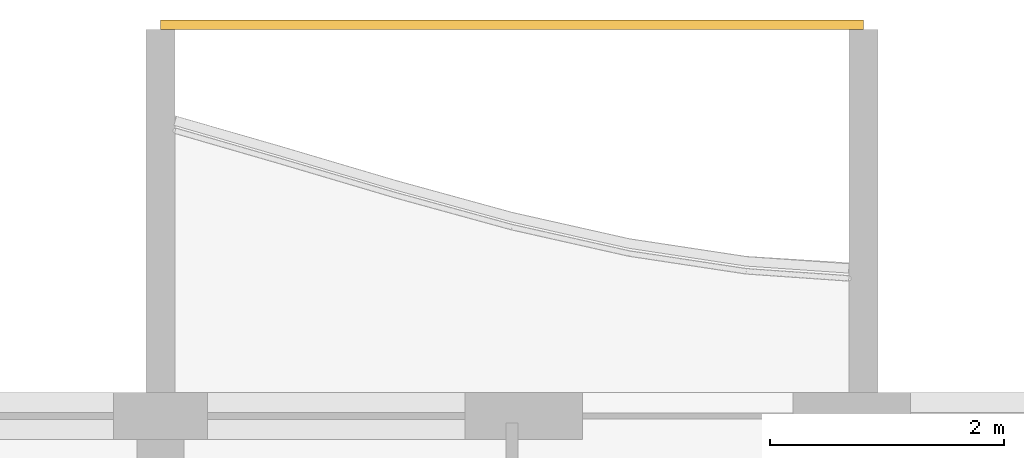
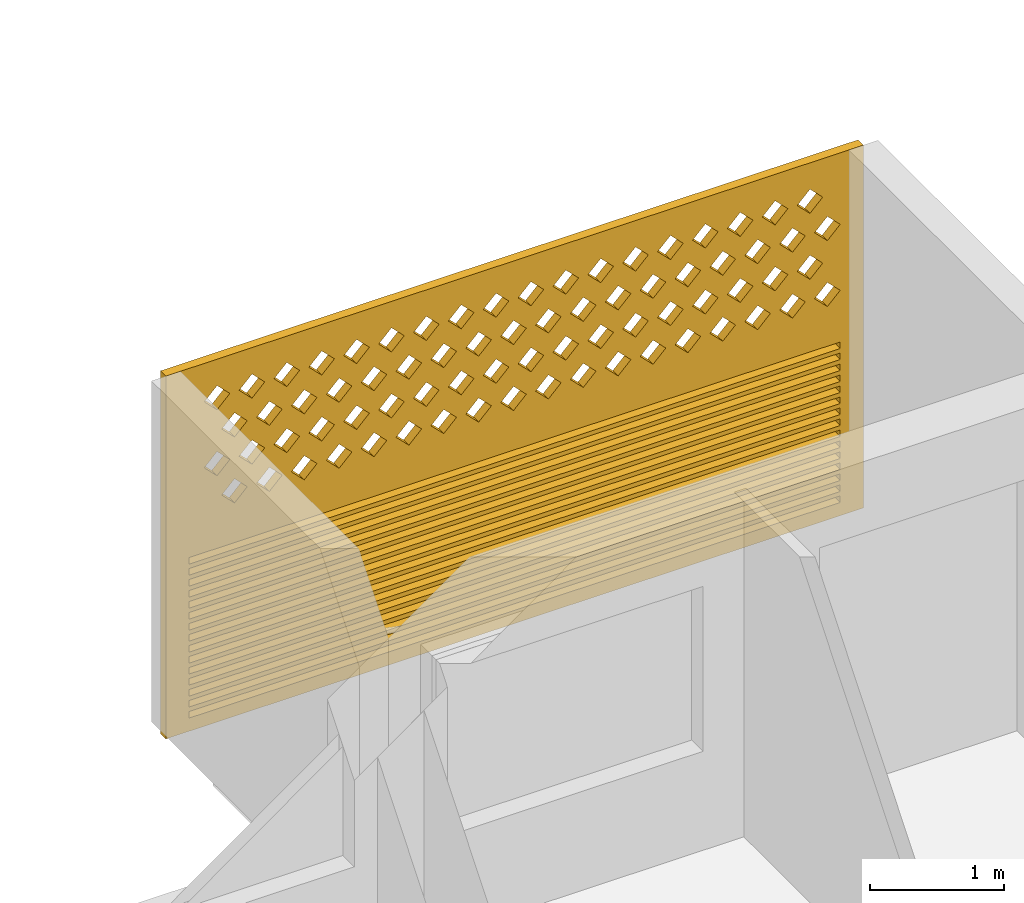
# One storey, part 29 of 40: 1 covering.
"""IFC4 building model written with IfcOpenShell, lengths in metres."""

import ifcopenshell
import ifcopenshell.guid

model = None  # the IFC model being written
_history = None  # IfcOwnerHistory: only IFC2X3 demands one
_inside = {}  # id of a spatial element -> (the spatial element, [elements in it])
_under = {}  # id of a project, library or spatial element -> (it, [spatial elements below it])
_declared = {}  # id of a project -> (the project, [libraries it declares])
_typed = {}  # id of a type object -> (the type object, [elements of that type])
_made_of = {}  # id of a material, layer set ... -> (it, [elements and type objects made of it])


def new_model(schema):
    """Start an empty IFC model of exactly this schema.

    Asked for "IFC4X3", IfcOpenShell would pick the latest addendum, in which some entities
    have other attributes; the version numbers below select the first issue.
    IFC2X3 requires an IfcOwnerHistory on every rooted entity: one is made here for all.
    """
    global model, _history
    if schema == "IFC4X3":
        model = ifcopenshell.file(schema_version=(4, 3, 0, 0))
    else:
        model = ifcopenshell.file(schema=schema)
    _inside.clear()
    _under.clear()
    _declared.clear()
    _typed.clear()
    _made_of.clear()
    _history = None
    if model.schema == "IFC2X3":
        org = make("IfcOrganization", Name="unknown")
        user = make(
            "IfcPersonAndOrganization",
            ThePerson=make("IfcPerson", FamilyName="unknown"),
            TheOrganization=org,
        )
        app = make(
            "IfcApplication",
            ApplicationDeveloper=org,
            Version="unknown",
            ApplicationFullName="unknown",
            ApplicationIdentifier="unknown",
        )
        _history = make(
            "IfcOwnerHistory",
            OwningUser=user,
            OwningApplication=app,
            ChangeAction="ADDED",
            CreationDate=0,
        )
    return model


def make(cls, **values):
    """One entity of the class cls with the attributes given. An attribute that is None is left unset."""
    return model.create_entity(
        cls, **{name: value for name, value in values.items() if value is not None}
    )


def rooted(cls, **values):
    """An entity with a GlobalId (a new one), such as an element, a storey or a relation."""
    return make(cls, GlobalId=ifcopenshell.guid.new(), OwnerHistory=_history, **values)


def si_unit(unit_type, name, prefix=None):
    """IfcSIUnit, for example si_unit("LENGTHUNIT", "METRE", prefix="MILLI")."""
    return make("IfcSIUnit", UnitType=unit_type, Prefix=prefix, Name=name)


def assignment(units):
    """IfcUnitAssignment: the units of a project."""
    return None if units is None else make("IfcUnitAssignment", Units=units)


def point(xyz):
    """IfcCartesianPoint."""
    return None if xyz is None else make("IfcCartesianPoint", Coordinates=xyz)


def direction(xyz):
    """IfcDirection."""
    return None if xyz is None else make("IfcDirection", DirectionRatios=xyz)


def frame(location, z_axis=None, x_axis=None):
    """IfcAxis2Placement3D, a coordinate frame: its origin and axes. An axis left out is left unset."""
    return make(
        "IfcAxis2Placement3D",
        Location=point(location),
        Axis=direction(z_axis),
        RefDirection=direction(x_axis),
    )


def origin():
    """The frame at (0, 0, 0) with its axes left unset."""
    return frame((0.0, 0.0, 0.0))


def place(relative_to, where):
    """IfcLocalPlacement: puts the frame where relative to a parent placement (None: the world)."""
    return make(
        "IfcLocalPlacement", PlacementRelTo=relative_to, RelativePlacement=where
    )


def context(
    kind, dimensions, precision=None, world=None, true_north=None, identifier=None
):
    """IfcGeometricRepresentationContext, for example the 3D "Model" context."""
    return make(
        "IfcGeometricRepresentationContext",
        ContextIdentifier=identifier,
        ContextType=kind,
        CoordinateSpaceDimension=dimensions,
        Precision=precision,
        WorldCoordinateSystem=world,
        TrueNorth=true_north,
    )


def subcontext(parent, identifier, kind, view, scale=None):
    """IfcGeometricRepresentationSubContext, for example "Body" below "Model"."""
    return make(
        "IfcGeometricRepresentationSubContext",
        ContextIdentifier=identifier,
        ContextType=kind,
        ParentContext=parent,
        TargetScale=scale,
        TargetView=view,
    )


def project(units=None, contexts=None):
    """IfcProject with its units and contexts."""
    return rooted(
        "IfcProject",
        Name="project",
        RepresentationContexts=contexts,
        UnitsInContext=assignment(units),
    )


def spatial(cls, under=None, at=None, **own):
    """A site, building, storey or space (cls), placed at a placement, below another one or the project."""
    s = rooted(cls, ObjectPlacement=at, **own)
    if under is not None:
        _under.setdefault(under.id(), (under, []))[1].append(s)
    return s


def polyline(points):
    """IfcPolyline through the points."""
    return make("IfcPolyline", Points=[point(p) for p in points])


def outline(outer, holes=None, kind="AREA"):
    """IfcArbitraryClosedProfileDef: a profile drawn as a closed curve; with holes, ...WithVoids."""
    if holes is None:
        return make("IfcArbitraryClosedProfileDef", ProfileType=kind, OuterCurve=outer)
    return make(
        "IfcArbitraryProfileDefWithVoids",
        ProfileType=kind,
        OuterCurve=outer,
        InnerCurves=holes,
    )


def extrude(swept, where, along, depth):
    """IfcExtrudedAreaSolid: the profile swept, set in the frame where, extruded along a direction by depth."""
    return make(
        "IfcExtrudedAreaSolid",
        SweptArea=swept,
        Position=where,
        ExtrudedDirection=direction(along),
        Depth=depth,
    )


def shape(context_of_items, identifier, shape_type, items):
    """IfcShapeRepresentation: the items that make up one representation, for example the "Body"."""
    return make(
        "IfcShapeRepresentation",
        ContextOfItems=context_of_items,
        RepresentationIdentifier=identifier,
        RepresentationType=shape_type,
        Items=items,
    )


def source(mapping_origin, context_of_items, identifier, shape_type, items):
    """IfcRepresentationMap: a shape defined once, which mapped items show again and again."""
    return make(
        "IfcRepresentationMap",
        MappingOrigin=mapping_origin,
        MappedRepresentation=shape(context_of_items, identifier, shape_type, items),
    )


def transform(
    local_origin,
    x_axis=None,
    y_axis=None,
    z_axis=None,
    scale=None,
    scale2=None,
    scale3=None,
    uniform=True,
):
    """IfcCartesianTransformationOperator3D, or its non-uniform kind. x_axis, y_axis, z_axis: its Axis1, 2, 3."""
    if uniform:
        return make(
            "IfcCartesianTransformationOperator3D",
            Axis1=direction(x_axis),
            Axis2=direction(y_axis),
            LocalOrigin=point(local_origin),
            Scale=scale,
            Axis3=direction(z_axis),
        )
    return make(
        "IfcCartesianTransformationOperator3DnonUniform",
        Axis1=direction(x_axis),
        Axis2=direction(y_axis),
        LocalOrigin=point(local_origin),
        Scale=scale,
        Axis3=direction(z_axis),
        Scale2=scale2,
        Scale3=scale3,
    )


def mapped(mapping_source, mapping_target):
    """IfcMappedItem: shows the shape of a source again, moved by a transform."""
    return make(
        "IfcMappedItem", MappingSource=mapping_source, MappingTarget=mapping_target
    )


def material(Name=None, Category=None):
    """IfcMaterial."""
    return make("IfcMaterial", Name=Name, Category=Category)


def material_profile(
    of_material, cross_section, Name=None, Category=None, Priority=None
):
    """IfcMaterialProfile: a cross section and its material."""
    return make(
        "IfcMaterialProfile",
        Name=Name,
        Material=of_material,
        Profile=cross_section,
        Priority=Priority,
        Category=Category,
    )


def profile_set(profiles, Name=None, composite=None):
    """IfcMaterialProfileSet."""
    return make(
        "IfcMaterialProfileSet",
        Name=Name,
        MaterialProfiles=profiles,
        CompositeProfile=composite,
    )


def made_of(thing, what):
    """Note that an element or type object is made of a material, layer set ...; save() writes the relation."""
    if what is not None:
        _made_of.setdefault(what.id(), (what, []))[1].append(thing)
    return thing


def type_object(cls, material=None, **own):
    """A type object (cls), such as IfcWallType, which elements share."""
    return made_of(rooted(cls, **own), material)


def element(
    cls,
    number,
    at=None,
    inside=None,
    cuts=None,
    type_object=None,
    material=None,
    context=None,
    identifier="Body",
    shape_type=None,
    held_by="IfcProductDefinitionShape",
    body=None,
    shapes=None,
    **own,
):
    """One element of the class cls, such as IfcWall. Its Tag is "e" and its number.

    at: its placement. inside: the storey or other place that contains it. cuts: it is an
    opening in that element (IfcRelVoidsElement). A single representation is given by context,
    identifier, shape_type and body (its items); several are given by shapes. held_by: the class
    of the entity that holds the representations. save() writes the other relations.
    """
    e = rooted(cls, Tag="e%d" % number, ObjectPlacement=at, **own)
    if body is not None:
        shapes = [shape(context, identifier, shape_type, body)]
    if shapes is not None:
        e.Representation = make(held_by, Representations=shapes)
    if inside is not None:
        _inside.setdefault(inside.id(), (inside, []))[1].append(e)
    if cuts is not None:
        rooted(
            "IfcRelVoidsElement", RelatingBuildingElement=cuts, RelatedOpeningElement=e
        )
    if type_object is not None:
        _typed.setdefault(type_object.id(), (type_object, []))[1].append(e)
    return made_of(e, material)


def aggregate(whole, parts):
    """IfcRelAggregates: a whole, such as a stair, and the parts it consists of."""
    return rooted("IfcRelAggregates", RelatingObject=whole, RelatedObjects=parts)


def save(model, path):
    """Write the relations noted so far, then the file.

    IfcRelAggregates (storeys below a building ...), IfcRelContainedInSpatialStructure (elements
    in a storey), IfcRelDefinesByType, IfcRelAssociatesMaterial and IfcRelDeclares: one each for
    every whole, place, type object, material and project.
    """
    for whole, parts in _under.values():
        aggregate(whole, parts)
    for where, things in _inside.values():
        rooted(
            "IfcRelContainedInSpatialStructure",
            RelatedElements=things,
            RelatingStructure=where,
        )
    for kind, things in _typed.values():
        rooted("IfcRelDefinesByType", RelatedObjects=things, RelatingType=kind)
    for what, things in _made_of.values():
        rooted("IfcRelAssociatesMaterial", RelatedObjects=things, RelatingMaterial=what)
    for by, libraries in _declared.values():
        rooted("IfcRelDeclares", RelatingContext=by, RelatedDefinitions=libraries)
    model.write(path)


model = new_model("IFC4")

# Units and contexts
model_context = context("Model", 3, precision=1e-05, world=origin(), true_north=direction((0.0, 1.0)))
body_context = subcontext(model_context, "Body", "Model", "MODEL_VIEW")
ifc_project = project(units=[si_unit("LENGTHUNIT", "METRE"), si_unit("AREAUNIT", "SQUARE_METRE"), si_unit("VOLUMEUNIT", "CUBIC_METRE"), si_unit("PLANEANGLEUNIT", "RADIAN"), si_unit("MASSUNIT", "GRAM", prefix="KILO")], contexts=[model_context])

# Site, building, storey
site_placement = place(None, origin())
site = spatial("IfcSite", under=ifc_project, at=site_placement, CompositionType="ELEMENT")
building_placement = place(site_placement, origin())
building = spatial("IfcBuilding", under=site, at=building_placement, Name="Poui Terraces", CompositionType="ELEMENT")
storey_placement = place(building_placement, frame((0.0, 0.0, 39.89990234375)))
storey = spatial("IfcBuildingStorey", under=building, at=storey_placement, Name="L10", CompositionType="ELEMENT", Elevation=39.89990234375)

# Covering
ifc_material = material(Name="Terracotta screen", Category="masonry")
ifc_material_profile = material_profile(ifc_material, outline(polyline([(-3.0, -1.64990234375), (3.0, -1.64990234375), (3.0, 1.64990234375), (-3.0, 1.64990234375), (-3.0, -1.64990234375)]), holes=[polyline([(-2.800048828125, 0.39990234375), (-2.68994140625, 0.2900390625), (-2.580078125, 0.39990234375), (-2.68994140625, 0.510009765625), (-2.800048828125, 0.39990234375)]), polyline([(-2.5, 0.39990234375), (-2.389892578125, 0.2900390625), (-2.280029296875, 0.39990234375), (-2.389892578125, 0.510009765625), (-2.5, 0.39990234375)]), polyline([(-2.199951171875, 0.39990234375), (-2.090087890625, 0.2900390625), (-1.97998046875, 0.39990234375), (-2.090087890625, 0.510009765625), (-2.199951171875, 0.39990234375)]), polyline([(-1.89990234375, 0.39990234375), (-1.7900390625, 0.2900390625), (-1.679931640625, 0.39990234375), (-1.7900390625, 0.510009765625), (-1.89990234375, 0.39990234375)]), polyline([(-1.60009765625, 0.39990234375), (-1.489990234375, 0.2900390625), (-1.3798828125, 0.39990234375), (-1.489990234375, 0.510009765625), (-1.60009765625, 0.39990234375)]), polyline([(-1.300048828125, 0.39990234375), (-1.18994140625, 0.2900390625), (-1.080078125, 0.39990234375), (-1.18994140625, 0.510009765625), (-1.300048828125, 0.39990234375)]), polyline([(-1.0, 0.39990234375), (-0.889892578125, 0.2900390625), (-0.780029296875, 0.39990234375), (-0.889892578125, 0.510009765625), (-1.0, 0.39990234375)]), polyline([(-0.699951171875, 0.39990234375), (-0.590087890625, 0.2900390625), (-0.47998046875, 0.39990234375), (-0.590087890625, 0.510009765625), (-0.699951171875, 0.39990234375)]), polyline([(-0.39990234375, 0.39990234375), (-0.2900390625, 0.2900390625), (-0.179931640625, 0.39990234375), (-0.2900390625, 0.510009765625), (-0.39990234375, 0.39990234375)]), polyline([(-0.10009765625, 0.39990234375), (0.010009765625, 0.2900390625), (0.1201171875, 0.39990234375), (0.010009765625, 0.510009765625), (-0.10009765625, 0.39990234375)]), polyline([(0.199951171875, 0.39990234375), (0.31005859375, 0.2900390625), (0.419921875, 0.39990234375), (0.31005859375, 0.510009765625), (0.199951171875, 0.39990234375)]), polyline([(0.5, 0.39990234375), (0.610107421875, 0.2900390625), (0.719970703125, 0.39990234375), (0.610107421875, 0.510009765625), (0.5, 0.39990234375)]), polyline([(0.800048828125, 0.39990234375), (0.909912109375, 0.2900390625), (1.02001953125, 0.39990234375), (0.909912109375, 0.510009765625), (0.800048828125, 0.39990234375)]), polyline([(1.10009765625, 0.39990234375), (1.2099609375, 0.2900390625), (1.320068359375, 0.39990234375), (1.2099609375, 0.510009765625), (1.10009765625, 0.39990234375)]), polyline([(1.39990234375, 0.39990234375), (1.510009765625, 0.2900390625), (1.6201171875, 0.39990234375), (1.510009765625, 0.510009765625), (1.39990234375, 0.39990234375)]), polyline([(1.699951171875, 0.39990234375), (1.81005859375, 0.2900390625), (1.919921875, 0.39990234375), (1.81005859375, 0.510009765625), (1.699951171875, 0.39990234375)]), polyline([(2.0, 0.39990234375), (2.110107421875, 0.2900390625), (2.219970703125, 0.39990234375), (2.110107421875, 0.510009765625), (2.0, 0.39990234375)]), polyline([(2.300048828125, 0.39990234375), (2.409912109375, 0.2900390625), (2.52001953125, 0.39990234375), (2.409912109375, 0.510009765625), (2.300048828125, 0.39990234375)]), polyline([(-2.64990234375, 0.699951171875), (-2.5400390625, 0.590087890625), (-2.429931640625, 0.699951171875), (-2.5400390625, 0.81005859375), (-2.64990234375, 0.699951171875)]), polyline([(-2.35009765625, 0.699951171875), (-2.239990234375, 0.590087890625), (-2.1298828125, 0.699951171875), (-2.239990234375, 0.81005859375), (-2.35009765625, 0.699951171875)]), polyline([(-2.050048828125, 0.699951171875), (-1.93994140625, 0.590087890625), (-1.830078125, 0.699951171875), (-1.93994140625, 0.81005859375), (-2.050048828125, 0.699951171875)]), polyline([(-1.75, 0.699951171875), (-1.639892578125, 0.590087890625), (-1.530029296875, 0.699951171875), (-1.639892578125, 0.81005859375), (-1.75, 0.699951171875)]), polyline([(-1.449951171875, 0.699951171875), (-1.340087890625, 0.590087890625), (-1.22998046875, 0.699951171875), (-1.340087890625, 0.81005859375), (-1.449951171875, 0.699951171875)]), polyline([(-1.14990234375, 0.699951171875), (-1.0400390625, 0.590087890625), (-0.929931640625, 0.699951171875), (-1.0400390625, 0.81005859375), (-1.14990234375, 0.699951171875)]), polyline([(-0.85009765625, 0.699951171875), (-0.739990234375, 0.590087890625), (-0.6298828125, 0.699951171875), (-0.739990234375, 0.81005859375), (-0.85009765625, 0.699951171875)]), polyline([(-0.550048828125, 0.699951171875), (-0.43994140625, 0.590087890625), (-0.330078125, 0.699951171875), (-0.43994140625, 0.81005859375), (-0.550048828125, 0.699951171875)]), polyline([(-0.25, 0.699951171875), (-0.139892578125, 0.590087890625), (-0.030029296875, 0.699951171875), (-0.139892578125, 0.81005859375), (-0.25, 0.699951171875)]), polyline([(0.050048828125, 0.699951171875), (0.159912109375, 0.590087890625), (0.27001953125, 0.699951171875), (0.159912109375, 0.81005859375), (0.050048828125, 0.699951171875)]), polyline([(0.35009765625, 0.699951171875), (0.4599609375, 0.590087890625), (0.570068359375, 0.699951171875), (0.4599609375, 0.81005859375), (0.35009765625, 0.699951171875)]), polyline([(0.64990234375, 0.699951171875), (0.760009765625, 0.590087890625), (0.8701171875, 0.699951171875), (0.760009765625, 0.81005859375), (0.64990234375, 0.699951171875)]), polyline([(0.949951171875, 0.699951171875), (1.06005859375, 0.590087890625), (1.169921875, 0.699951171875), (1.06005859375, 0.81005859375), (0.949951171875, 0.699951171875)]), polyline([(1.25, 0.699951171875), (1.360107421875, 0.590087890625), (1.469970703125, 0.699951171875), (1.360107421875, 0.81005859375), (1.25, 0.699951171875)]), polyline([(1.550048828125, 0.699951171875), (1.659912109375, 0.590087890625), (1.77001953125, 0.699951171875), (1.659912109375, 0.81005859375), (1.550048828125, 0.699951171875)]), polyline([(1.85009765625, 0.699951171875), (1.9599609375, 0.590087890625), (2.070068359375, 0.699951171875), (1.9599609375, 0.81005859375), (1.85009765625, 0.699951171875)]), polyline([(2.14990234375, 0.699951171875), (2.260009765625, 0.590087890625), (2.3701171875, 0.699951171875), (2.260009765625, 0.81005859375), (2.14990234375, 0.699951171875)]), polyline([(2.449951171875, 0.699951171875), (2.56005859375, 0.590087890625), (2.669921875, 0.699951171875), (2.56005859375, 0.81005859375), (2.449951171875, 0.699951171875)]), polyline([(-2.800048828125, 1.0), (-2.68994140625, 0.889892578125), (-2.580078125, 1.0), (-2.68994140625, 1.110107421875), (-2.800048828125, 1.0)]), polyline([(-2.5, 1.0), (-2.389892578125, 0.889892578125), (-2.280029296875, 1.0), (-2.389892578125, 1.110107421875), (-2.5, 1.0)]), polyline([(-2.199951171875, 1.0), (-2.090087890625, 0.889892578125), (-1.97998046875, 1.0), (-2.090087890625, 1.110107421875), (-2.199951171875, 1.0)]), polyline([(-1.89990234375, 1.0), (-1.7900390625, 0.889892578125), (-1.679931640625, 1.0), (-1.7900390625, 1.110107421875), (-1.89990234375, 1.0)]), polyline([(-1.60009765625, 1.0), (-1.489990234375, 0.889892578125), (-1.3798828125, 1.0), (-1.489990234375, 1.110107421875), (-1.60009765625, 1.0)]), polyline([(-1.300048828125, 1.0), (-1.18994140625, 0.889892578125), (-1.080078125, 1.0), (-1.18994140625, 1.110107421875), (-1.300048828125, 1.0)]), polyline([(-1.0, 1.0), (-0.889892578125, 0.889892578125), (-0.780029296875, 1.0), (-0.889892578125, 1.110107421875), (-1.0, 1.0)]), polyline([(-0.699951171875, 1.0), (-0.590087890625, 0.889892578125), (-0.47998046875, 1.0), (-0.590087890625, 1.110107421875), (-0.699951171875, 1.0)]), polyline([(-0.39990234375, 1.0), (-0.2900390625, 0.889892578125), (-0.179931640625, 1.0), (-0.2900390625, 1.110107421875), (-0.39990234375, 1.0)]), polyline([(-0.10009765625, 1.0), (0.010009765625, 0.889892578125), (0.1201171875, 1.0), (0.010009765625, 1.110107421875), (-0.10009765625, 1.0)]), polyline([(0.199951171875, 1.0), (0.31005859375, 0.889892578125), (0.419921875, 1.0), (0.31005859375, 1.110107421875), (0.199951171875, 1.0)]), polyline([(0.5, 1.0), (0.610107421875, 0.889892578125), (0.719970703125, 1.0), (0.610107421875, 1.110107421875), (0.5, 1.0)]), polyline([(0.800048828125, 1.0), (0.909912109375, 0.889892578125), (1.02001953125, 1.0), (0.909912109375, 1.110107421875), (0.800048828125, 1.0)]), polyline([(1.10009765625, 1.0), (1.2099609375, 0.889892578125), (1.320068359375, 1.0), (1.2099609375, 1.110107421875), (1.10009765625, 1.0)]), polyline([(1.39990234375, 1.0), (1.510009765625, 0.889892578125), (1.6201171875, 1.0), (1.510009765625, 1.110107421875), (1.39990234375, 1.0)]), polyline([(1.699951171875, 1.0), (1.81005859375, 0.889892578125), (1.919921875, 1.0), (1.81005859375, 1.110107421875), (1.699951171875, 1.0)]), polyline([(2.0, 1.0), (2.110107421875, 0.889892578125), (2.219970703125, 1.0), (2.110107421875, 1.110107421875), (2.0, 1.0)]), polyline([(2.300048828125, 1.0), (2.409912109375, 0.889892578125), (2.52001953125, 1.0), (2.409912109375, 1.110107421875), (2.300048828125, 1.0)]), polyline([(-2.64990234375, 1.300048828125), (-2.5400390625, 1.18994140625), (-2.429931640625, 1.300048828125), (-2.5400390625, 1.409912109375), (-2.64990234375, 1.300048828125)]), polyline([(-2.35009765625, 1.300048828125), (-2.239990234375, 1.18994140625), (-2.1298828125, 1.300048828125), (-2.239990234375, 1.409912109375), (-2.35009765625, 1.300048828125)]), polyline([(-2.050048828125, 1.300048828125), (-1.93994140625, 1.18994140625), (-1.830078125, 1.300048828125), (-1.93994140625, 1.409912109375), (-2.050048828125, 1.300048828125)]), polyline([(-1.75, 1.300048828125), (-1.639892578125, 1.18994140625), (-1.530029296875, 1.300048828125), (-1.639892578125, 1.409912109375), (-1.75, 1.300048828125)]), polyline([(-1.449951171875, 1.300048828125), (-1.340087890625, 1.18994140625), (-1.22998046875, 1.300048828125), (-1.340087890625, 1.409912109375), (-1.449951171875, 1.300048828125)]), polyline([(-1.14990234375, 1.300048828125), (-1.0400390625, 1.18994140625), (-0.929931640625, 1.300048828125), (-1.0400390625, 1.409912109375), (-1.14990234375, 1.300048828125)]), polyline([(-0.85009765625, 1.300048828125), (-0.739990234375, 1.18994140625), (-0.6298828125, 1.300048828125), (-0.739990234375, 1.409912109375), (-0.85009765625, 1.300048828125)]), polyline([(-0.550048828125, 1.300048828125), (-0.43994140625, 1.18994140625), (-0.330078125, 1.300048828125), (-0.43994140625, 1.409912109375), (-0.550048828125, 1.300048828125)]), polyline([(-0.25, 1.300048828125), (-0.139892578125, 1.18994140625), (-0.030029296875, 1.300048828125), (-0.139892578125, 1.409912109375), (-0.25, 1.300048828125)]), polyline([(0.050048828125, 1.300048828125), (0.159912109375, 1.18994140625), (0.27001953125, 1.300048828125), (0.159912109375, 1.409912109375), (0.050048828125, 1.300048828125)]), polyline([(0.35009765625, 1.300048828125), (0.4599609375, 1.18994140625), (0.570068359375, 1.300048828125), (0.4599609375, 1.409912109375), (0.35009765625, 1.300048828125)]), polyline([(0.64990234375, 1.300048828125), (0.760009765625, 1.18994140625), (0.8701171875, 1.300048828125), (0.760009765625, 1.409912109375), (0.64990234375, 1.300048828125)]), polyline([(0.949951171875, 1.300048828125), (1.06005859375, 1.18994140625), (1.169921875, 1.300048828125), (1.06005859375, 1.409912109375), (0.949951171875, 1.300048828125)]), polyline([(1.25, 1.300048828125), (1.360107421875, 1.18994140625), (1.469970703125, 1.300048828125), (1.360107421875, 1.409912109375), (1.25, 1.300048828125)]), polyline([(1.550048828125, 1.300048828125), (1.659912109375, 1.18994140625), (1.77001953125, 1.300048828125), (1.659912109375, 1.409912109375), (1.550048828125, 1.300048828125)]), polyline([(1.85009765625, 1.300048828125), (1.9599609375, 1.18994140625), (2.070068359375, 1.300048828125), (1.9599609375, 1.409912109375), (1.85009765625, 1.300048828125)]), polyline([(2.14990234375, 1.300048828125), (2.260009765625, 1.18994140625), (2.3701171875, 1.300048828125), (2.260009765625, 1.409912109375), (2.14990234375, 1.300048828125)]), polyline([(2.449951171875, 1.300048828125), (2.56005859375, 1.18994140625), (2.669921875, 1.300048828125), (2.56005859375, 1.409912109375), (2.449951171875, 1.300048828125)]), polyline([(-2.800048828125, -1.530029296875), (2.800048828125, -1.530029296875), (2.800048828125, -1.469970703125), (-2.800048828125, -1.469970703125), (-2.800048828125, -1.530029296875)]), polyline([(-2.800048828125, -1.429931640625), (2.800048828125, -1.429931640625), (2.800048828125, -1.3701171875), (-2.800048828125, -1.3701171875), (-2.800048828125, -1.429931640625)]), polyline([(-2.800048828125, -1.330078125), (2.800048828125, -1.330078125), (2.800048828125, -1.27001953125), (-2.800048828125, -1.27001953125), (-2.800048828125, -1.330078125)]), polyline([(-2.800048828125, -1.22998046875), (2.800048828125, -1.22998046875), (2.800048828125, -1.169921875), (-2.800048828125, -1.169921875), (-2.800048828125, -1.22998046875)]), polyline([(-2.800048828125, -1.1298828125), (2.800048828125, -1.1298828125), (2.800048828125, -1.070068359375), (-2.800048828125, -1.070068359375), (-2.800048828125, -1.1298828125)]), polyline([(-2.800048828125, -1.030029296875), (2.800048828125, -1.030029296875), (2.800048828125, -0.969970703125), (-2.800048828125, -0.969970703125), (-2.800048828125, -1.030029296875)]), polyline([(-2.800048828125, -0.929931640625), (2.800048828125, -0.929931640625), (2.800048828125, -0.8701171875), (-2.800048828125, -0.8701171875), (-2.800048828125, -0.929931640625)]), polyline([(-2.800048828125, -0.830078125), (2.800048828125, -0.830078125), (2.800048828125, -0.77001953125), (-2.800048828125, -0.77001953125), (-2.800048828125, -0.830078125)]), polyline([(-2.800048828125, -0.72998046875), (2.800048828125, -0.72998046875), (2.800048828125, -0.669921875), (-2.800048828125, -0.669921875), (-2.800048828125, -0.72998046875)]), polyline([(-2.800048828125, -0.6298828125), (2.800048828125, -0.6298828125), (2.800048828125, -0.570068359375), (-2.800048828125, -0.570068359375), (-2.800048828125, -0.6298828125)]), polyline([(-2.800048828125, -0.530029296875), (2.800048828125, -0.530029296875), (2.800048828125, -0.469970703125), (-2.800048828125, -0.469970703125), (-2.800048828125, -0.530029296875)]), polyline([(-2.800048828125, -0.429931640625), (2.800048828125, -0.429931640625), (2.800048828125, -0.3701171875), (-2.800048828125, -0.3701171875), (-2.800048828125, -0.429931640625)]), polyline([(-2.800048828125, -0.330078125), (2.800048828125, -0.330078125), (2.800048828125, -0.27001953125), (-2.800048828125, -0.27001953125), (-2.800048828125, -0.330078125)]), polyline([(-2.800048828125, -0.22998046875), (2.800048828125, -0.22998046875), (2.800048828125, -0.169921875), (-2.800048828125, -0.169921875), (-2.800048828125, -0.22998046875)]), polyline([(-2.800048828125, -0.1298828125), (2.800048828125, -0.1298828125), (2.800048828125, -0.070068359375), (-2.800048828125, -0.070068359375), (-2.800048828125, -0.1298828125)])]), Name="TERRACOTTA SCREEN AND JALOUSIE LOUVRE 6000X3300")
ifc_profile_set = profile_set([ifc_material_profile], Name="Terracotta screen")
covering_type = type_object("IfcCoveringType", Name="TERRACOTTA SCREEN AND JALOUSIE LOUVRE 6000X3300", PredefinedType="CLADDING", material=ifc_profile_set)
shared_shape = source(origin(), body_context, "Body", "SweptSolid", [
    extrude(outline(polyline([(-3.0, -1.64990234375), (3.0, -1.64990234375), (3.0, 1.64990234375), (-3.0, 1.64990234375), (-3.0, -1.64990234375)]), holes=[polyline([(-2.800048828125, 0.39990234375), (-2.68994140625, 0.2900390625), (-2.580078125, 0.39990234375), (-2.68994140625, 0.510009765625), (-2.800048828125, 0.39990234375)]), polyline([(-2.5, 0.39990234375), (-2.389892578125, 0.2900390625), (-2.280029296875, 0.39990234375), (-2.389892578125, 0.510009765625), (-2.5, 0.39990234375)]), polyline([(-2.199951171875, 0.39990234375), (-2.090087890625, 0.2900390625), (-1.97998046875, 0.39990234375), (-2.090087890625, 0.510009765625), (-2.199951171875, 0.39990234375)]), polyline([(-1.89990234375, 0.39990234375), (-1.7900390625, 0.2900390625), (-1.679931640625, 0.39990234375), (-1.7900390625, 0.510009765625), (-1.89990234375, 0.39990234375)]), polyline([(-1.60009765625, 0.39990234375), (-1.489990234375, 0.2900390625), (-1.3798828125, 0.39990234375), (-1.489990234375, 0.510009765625), (-1.60009765625, 0.39990234375)]), polyline([(-1.300048828125, 0.39990234375), (-1.18994140625, 0.2900390625), (-1.080078125, 0.39990234375), (-1.18994140625, 0.510009765625), (-1.300048828125, 0.39990234375)]), polyline([(-1.0, 0.39990234375), (-0.889892578125, 0.2900390625), (-0.780029296875, 0.39990234375), (-0.889892578125, 0.510009765625), (-1.0, 0.39990234375)]), polyline([(-0.699951171875, 0.39990234375), (-0.590087890625, 0.2900390625), (-0.47998046875, 0.39990234375), (-0.590087890625, 0.510009765625), (-0.699951171875, 0.39990234375)]), polyline([(-0.39990234375, 0.39990234375), (-0.2900390625, 0.2900390625), (-0.179931640625, 0.39990234375), (-0.2900390625, 0.510009765625), (-0.39990234375, 0.39990234375)]), polyline([(-0.10009765625, 0.39990234375), (0.010009765625, 0.2900390625), (0.1201171875, 0.39990234375), (0.010009765625, 0.510009765625), (-0.10009765625, 0.39990234375)]), polyline([(0.199951171875, 0.39990234375), (0.31005859375, 0.2900390625), (0.419921875, 0.39990234375), (0.31005859375, 0.510009765625), (0.199951171875, 0.39990234375)]), polyline([(0.5, 0.39990234375), (0.610107421875, 0.2900390625), (0.719970703125, 0.39990234375), (0.610107421875, 0.510009765625), (0.5, 0.39990234375)]), polyline([(0.800048828125, 0.39990234375), (0.909912109375, 0.2900390625), (1.02001953125, 0.39990234375), (0.909912109375, 0.510009765625), (0.800048828125, 0.39990234375)]), polyline([(1.10009765625, 0.39990234375), (1.2099609375, 0.2900390625), (1.320068359375, 0.39990234375), (1.2099609375, 0.510009765625), (1.10009765625, 0.39990234375)]), polyline([(1.39990234375, 0.39990234375), (1.510009765625, 0.2900390625), (1.6201171875, 0.39990234375), (1.510009765625, 0.510009765625), (1.39990234375, 0.39990234375)]), polyline([(1.699951171875, 0.39990234375), (1.81005859375, 0.2900390625), (1.919921875, 0.39990234375), (1.81005859375, 0.510009765625), (1.699951171875, 0.39990234375)]), polyline([(2.0, 0.39990234375), (2.110107421875, 0.2900390625), (2.219970703125, 0.39990234375), (2.110107421875, 0.510009765625), (2.0, 0.39990234375)]), polyline([(2.300048828125, 0.39990234375), (2.409912109375, 0.2900390625), (2.52001953125, 0.39990234375), (2.409912109375, 0.510009765625), (2.300048828125, 0.39990234375)]), polyline([(-2.64990234375, 0.699951171875), (-2.5400390625, 0.590087890625), (-2.429931640625, 0.699951171875), (-2.5400390625, 0.81005859375), (-2.64990234375, 0.699951171875)]), polyline([(-2.35009765625, 0.699951171875), (-2.239990234375, 0.590087890625), (-2.1298828125, 0.699951171875), (-2.239990234375, 0.81005859375), (-2.35009765625, 0.699951171875)]), polyline([(-2.050048828125, 0.699951171875), (-1.93994140625, 0.590087890625), (-1.830078125, 0.699951171875), (-1.93994140625, 0.81005859375), (-2.050048828125, 0.699951171875)]), polyline([(-1.75, 0.699951171875), (-1.639892578125, 0.590087890625), (-1.530029296875, 0.699951171875), (-1.639892578125, 0.81005859375), (-1.75, 0.699951171875)]), polyline([(-1.449951171875, 0.699951171875), (-1.340087890625, 0.590087890625), (-1.22998046875, 0.699951171875), (-1.340087890625, 0.81005859375), (-1.449951171875, 0.699951171875)]), polyline([(-1.14990234375, 0.699951171875), (-1.0400390625, 0.590087890625), (-0.929931640625, 0.699951171875), (-1.0400390625, 0.81005859375), (-1.14990234375, 0.699951171875)]), polyline([(-0.85009765625, 0.699951171875), (-0.739990234375, 0.590087890625), (-0.6298828125, 0.699951171875), (-0.739990234375, 0.81005859375), (-0.85009765625, 0.699951171875)]), polyline([(-0.550048828125, 0.699951171875), (-0.43994140625, 0.590087890625), (-0.330078125, 0.699951171875), (-0.43994140625, 0.81005859375), (-0.550048828125, 0.699951171875)]), polyline([(-0.25, 0.699951171875), (-0.139892578125, 0.590087890625), (-0.030029296875, 0.699951171875), (-0.139892578125, 0.81005859375), (-0.25, 0.699951171875)]), polyline([(0.050048828125, 0.699951171875), (0.159912109375, 0.590087890625), (0.27001953125, 0.699951171875), (0.159912109375, 0.81005859375), (0.050048828125, 0.699951171875)]), polyline([(0.35009765625, 0.699951171875), (0.4599609375, 0.590087890625), (0.570068359375, 0.699951171875), (0.4599609375, 0.81005859375), (0.35009765625, 0.699951171875)]), polyline([(0.64990234375, 0.699951171875), (0.760009765625, 0.590087890625), (0.8701171875, 0.699951171875), (0.760009765625, 0.81005859375), (0.64990234375, 0.699951171875)]), polyline([(0.949951171875, 0.699951171875), (1.06005859375, 0.590087890625), (1.169921875, 0.699951171875), (1.06005859375, 0.81005859375), (0.949951171875, 0.699951171875)]), polyline([(1.25, 0.699951171875), (1.360107421875, 0.590087890625), (1.469970703125, 0.699951171875), (1.360107421875, 0.81005859375), (1.25, 0.699951171875)]), polyline([(1.550048828125, 0.699951171875), (1.659912109375, 0.590087890625), (1.77001953125, 0.699951171875), (1.659912109375, 0.81005859375), (1.550048828125, 0.699951171875)]), polyline([(1.85009765625, 0.699951171875), (1.9599609375, 0.590087890625), (2.070068359375, 0.699951171875), (1.9599609375, 0.81005859375), (1.85009765625, 0.699951171875)]), polyline([(2.14990234375, 0.699951171875), (2.260009765625, 0.590087890625), (2.3701171875, 0.699951171875), (2.260009765625, 0.81005859375), (2.14990234375, 0.699951171875)]), polyline([(2.449951171875, 0.699951171875), (2.56005859375, 0.590087890625), (2.669921875, 0.699951171875), (2.56005859375, 0.81005859375), (2.449951171875, 0.699951171875)]), polyline([(-2.800048828125, 1.0), (-2.68994140625, 0.889892578125), (-2.580078125, 1.0), (-2.68994140625, 1.110107421875), (-2.800048828125, 1.0)]), polyline([(-2.5, 1.0), (-2.389892578125, 0.889892578125), (-2.280029296875, 1.0), (-2.389892578125, 1.110107421875), (-2.5, 1.0)]), polyline([(-2.199951171875, 1.0), (-2.090087890625, 0.889892578125), (-1.97998046875, 1.0), (-2.090087890625, 1.110107421875), (-2.199951171875, 1.0)]), polyline([(-1.89990234375, 1.0), (-1.7900390625, 0.889892578125), (-1.679931640625, 1.0), (-1.7900390625, 1.110107421875), (-1.89990234375, 1.0)]), polyline([(-1.60009765625, 1.0), (-1.489990234375, 0.889892578125), (-1.3798828125, 1.0), (-1.489990234375, 1.110107421875), (-1.60009765625, 1.0)]), polyline([(-1.300048828125, 1.0), (-1.18994140625, 0.889892578125), (-1.080078125, 1.0), (-1.18994140625, 1.110107421875), (-1.300048828125, 1.0)]), polyline([(-1.0, 1.0), (-0.889892578125, 0.889892578125), (-0.780029296875, 1.0), (-0.889892578125, 1.110107421875), (-1.0, 1.0)]), polyline([(-0.699951171875, 1.0), (-0.590087890625, 0.889892578125), (-0.47998046875, 1.0), (-0.590087890625, 1.110107421875), (-0.699951171875, 1.0)]), polyline([(-0.39990234375, 1.0), (-0.2900390625, 0.889892578125), (-0.179931640625, 1.0), (-0.2900390625, 1.110107421875), (-0.39990234375, 1.0)]), polyline([(-0.10009765625, 1.0), (0.010009765625, 0.889892578125), (0.1201171875, 1.0), (0.010009765625, 1.110107421875), (-0.10009765625, 1.0)]), polyline([(0.199951171875, 1.0), (0.31005859375, 0.889892578125), (0.419921875, 1.0), (0.31005859375, 1.110107421875), (0.199951171875, 1.0)]), polyline([(0.5, 1.0), (0.610107421875, 0.889892578125), (0.719970703125, 1.0), (0.610107421875, 1.110107421875), (0.5, 1.0)]), polyline([(0.800048828125, 1.0), (0.909912109375, 0.889892578125), (1.02001953125, 1.0), (0.909912109375, 1.110107421875), (0.800048828125, 1.0)]), polyline([(1.10009765625, 1.0), (1.2099609375, 0.889892578125), (1.320068359375, 1.0), (1.2099609375, 1.110107421875), (1.10009765625, 1.0)]), polyline([(1.39990234375, 1.0), (1.510009765625, 0.889892578125), (1.6201171875, 1.0), (1.510009765625, 1.110107421875), (1.39990234375, 1.0)]), polyline([(1.699951171875, 1.0), (1.81005859375, 0.889892578125), (1.919921875, 1.0), (1.81005859375, 1.110107421875), (1.699951171875, 1.0)]), polyline([(2.0, 1.0), (2.110107421875, 0.889892578125), (2.219970703125, 1.0), (2.110107421875, 1.110107421875), (2.0, 1.0)]), polyline([(2.300048828125, 1.0), (2.409912109375, 0.889892578125), (2.52001953125, 1.0), (2.409912109375, 1.110107421875), (2.300048828125, 1.0)]), polyline([(-2.64990234375, 1.300048828125), (-2.5400390625, 1.18994140625), (-2.429931640625, 1.300048828125), (-2.5400390625, 1.409912109375), (-2.64990234375, 1.300048828125)]), polyline([(-2.35009765625, 1.300048828125), (-2.239990234375, 1.18994140625), (-2.1298828125, 1.300048828125), (-2.239990234375, 1.409912109375), (-2.35009765625, 1.300048828125)]), polyline([(-2.050048828125, 1.300048828125), (-1.93994140625, 1.18994140625), (-1.830078125, 1.300048828125), (-1.93994140625, 1.409912109375), (-2.050048828125, 1.300048828125)]), polyline([(-1.75, 1.300048828125), (-1.639892578125, 1.18994140625), (-1.530029296875, 1.300048828125), (-1.639892578125, 1.409912109375), (-1.75, 1.300048828125)]), polyline([(-1.449951171875, 1.300048828125), (-1.340087890625, 1.18994140625), (-1.22998046875, 1.300048828125), (-1.340087890625, 1.409912109375), (-1.449951171875, 1.300048828125)]), polyline([(-1.14990234375, 1.300048828125), (-1.0400390625, 1.18994140625), (-0.929931640625, 1.300048828125), (-1.0400390625, 1.409912109375), (-1.14990234375, 1.300048828125)]), polyline([(-0.85009765625, 1.300048828125), (-0.739990234375, 1.18994140625), (-0.6298828125, 1.300048828125), (-0.739990234375, 1.409912109375), (-0.85009765625, 1.300048828125)]), polyline([(-0.550048828125, 1.300048828125), (-0.43994140625, 1.18994140625), (-0.330078125, 1.300048828125), (-0.43994140625, 1.409912109375), (-0.550048828125, 1.300048828125)]), polyline([(-0.25, 1.300048828125), (-0.139892578125, 1.18994140625), (-0.030029296875, 1.300048828125), (-0.139892578125, 1.409912109375), (-0.25, 1.300048828125)]), polyline([(0.050048828125, 1.300048828125), (0.159912109375, 1.18994140625), (0.27001953125, 1.300048828125), (0.159912109375, 1.409912109375), (0.050048828125, 1.300048828125)]), polyline([(0.35009765625, 1.300048828125), (0.4599609375, 1.18994140625), (0.570068359375, 1.300048828125), (0.4599609375, 1.409912109375), (0.35009765625, 1.300048828125)]), polyline([(0.64990234375, 1.300048828125), (0.760009765625, 1.18994140625), (0.8701171875, 1.300048828125), (0.760009765625, 1.409912109375), (0.64990234375, 1.300048828125)]), polyline([(0.949951171875, 1.300048828125), (1.06005859375, 1.18994140625), (1.169921875, 1.300048828125), (1.06005859375, 1.409912109375), (0.949951171875, 1.300048828125)]), polyline([(1.25, 1.300048828125), (1.360107421875, 1.18994140625), (1.469970703125, 1.300048828125), (1.360107421875, 1.409912109375), (1.25, 1.300048828125)]), polyline([(1.550048828125, 1.300048828125), (1.659912109375, 1.18994140625), (1.77001953125, 1.300048828125), (1.659912109375, 1.409912109375), (1.550048828125, 1.300048828125)]), polyline([(1.85009765625, 1.300048828125), (1.9599609375, 1.18994140625), (2.070068359375, 1.300048828125), (1.9599609375, 1.409912109375), (1.85009765625, 1.300048828125)]), polyline([(2.14990234375, 1.300048828125), (2.260009765625, 1.18994140625), (2.3701171875, 1.300048828125), (2.260009765625, 1.409912109375), (2.14990234375, 1.300048828125)]), polyline([(2.449951171875, 1.300048828125), (2.56005859375, 1.18994140625), (2.669921875, 1.300048828125), (2.56005859375, 1.409912109375), (2.449951171875, 1.300048828125)]), polyline([(-2.800048828125, -1.530029296875), (2.800048828125, -1.530029296875), (2.800048828125, -1.469970703125), (-2.800048828125, -1.469970703125), (-2.800048828125, -1.530029296875)]), polyline([(-2.800048828125, -1.429931640625), (2.800048828125, -1.429931640625), (2.800048828125, -1.3701171875), (-2.800048828125, -1.3701171875), (-2.800048828125, -1.429931640625)]), polyline([(-2.800048828125, -1.330078125), (2.800048828125, -1.330078125), (2.800048828125, -1.27001953125), (-2.800048828125, -1.27001953125), (-2.800048828125, -1.330078125)]), polyline([(-2.800048828125, -1.22998046875), (2.800048828125, -1.22998046875), (2.800048828125, -1.169921875), (-2.800048828125, -1.169921875), (-2.800048828125, -1.22998046875)]), polyline([(-2.800048828125, -1.1298828125), (2.800048828125, -1.1298828125), (2.800048828125, -1.070068359375), (-2.800048828125, -1.070068359375), (-2.800048828125, -1.1298828125)]), polyline([(-2.800048828125, -1.030029296875), (2.800048828125, -1.030029296875), (2.800048828125, -0.969970703125), (-2.800048828125, -0.969970703125), (-2.800048828125, -1.030029296875)]), polyline([(-2.800048828125, -0.929931640625), (2.800048828125, -0.929931640625), (2.800048828125, -0.8701171875), (-2.800048828125, -0.8701171875), (-2.800048828125, -0.929931640625)]), polyline([(-2.800048828125, -0.830078125), (2.800048828125, -0.830078125), (2.800048828125, -0.77001953125), (-2.800048828125, -0.77001953125), (-2.800048828125, -0.830078125)]), polyline([(-2.800048828125, -0.72998046875), (2.800048828125, -0.72998046875), (2.800048828125, -0.669921875), (-2.800048828125, -0.669921875), (-2.800048828125, -0.72998046875)]), polyline([(-2.800048828125, -0.6298828125), (2.800048828125, -0.6298828125), (2.800048828125, -0.570068359375), (-2.800048828125, -0.570068359375), (-2.800048828125, -0.6298828125)]), polyline([(-2.800048828125, -0.530029296875), (2.800048828125, -0.530029296875), (2.800048828125, -0.469970703125), (-2.800048828125, -0.469970703125), (-2.800048828125, -0.530029296875)]), polyline([(-2.800048828125, -0.429931640625), (2.800048828125, -0.429931640625), (2.800048828125, -0.3701171875), (-2.800048828125, -0.3701171875), (-2.800048828125, -0.429931640625)]), polyline([(-2.800048828125, -0.330078125), (2.800048828125, -0.330078125), (2.800048828125, -0.27001953125), (-2.800048828125, -0.27001953125), (-2.800048828125, -0.330078125)]), polyline([(-2.800048828125, -0.22998046875), (2.800048828125, -0.22998046875), (2.800048828125, -0.169921875), (-2.800048828125, -0.169921875), (-2.800048828125, -0.22998046875)]), polyline([(-2.800048828125, -0.1298828125), (2.800048828125, -0.1298828125), (2.800048828125, -0.070068359375), (-2.800048828125, -0.070068359375), (-2.800048828125, -0.1298828125)])]), origin(), (0.0, 0.0, 1.0), 0.079833984375),
])
covering_placement = place(storey_placement, frame((51.0, 48.10009765625, 1.4501953125), z_axis=(0.0, 1.0, 0.0), x_axis=(-1.0, 0.0, 0.0)))
element("IfcCovering", 1, at=covering_placement, inside=storey, type_object=covering_type, Name="SOLAR SCREEN AND JALOUSIE LOUVRE", PredefinedType="CLADDING", context=body_context, shape_type="MappedRepresentation", body=[
    mapped(shared_shape, transform((0.0, 0.0, 0.0))),
])

save(model, "model.ifc")
